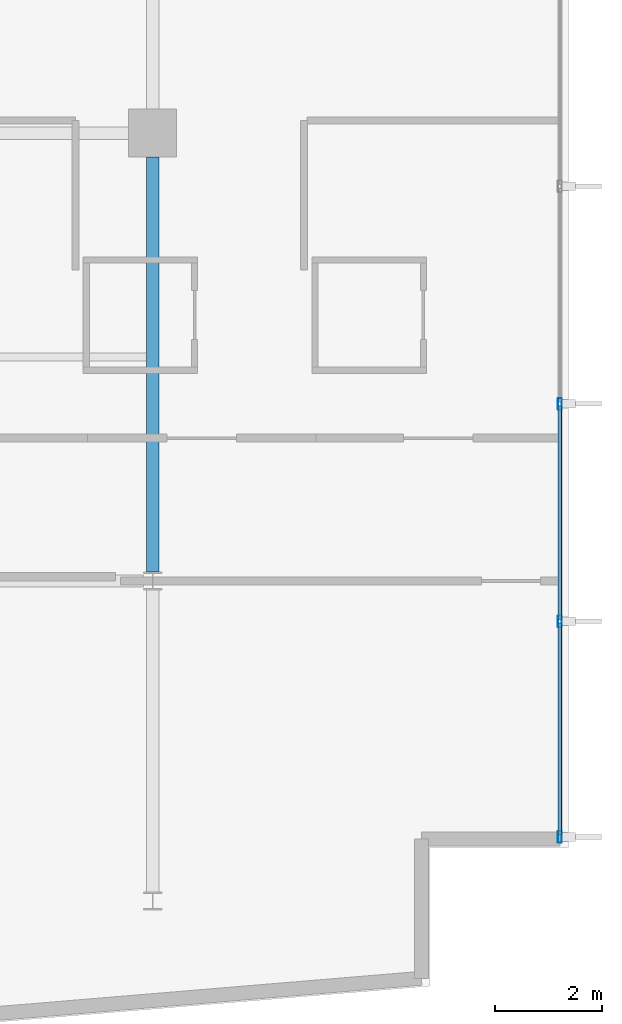
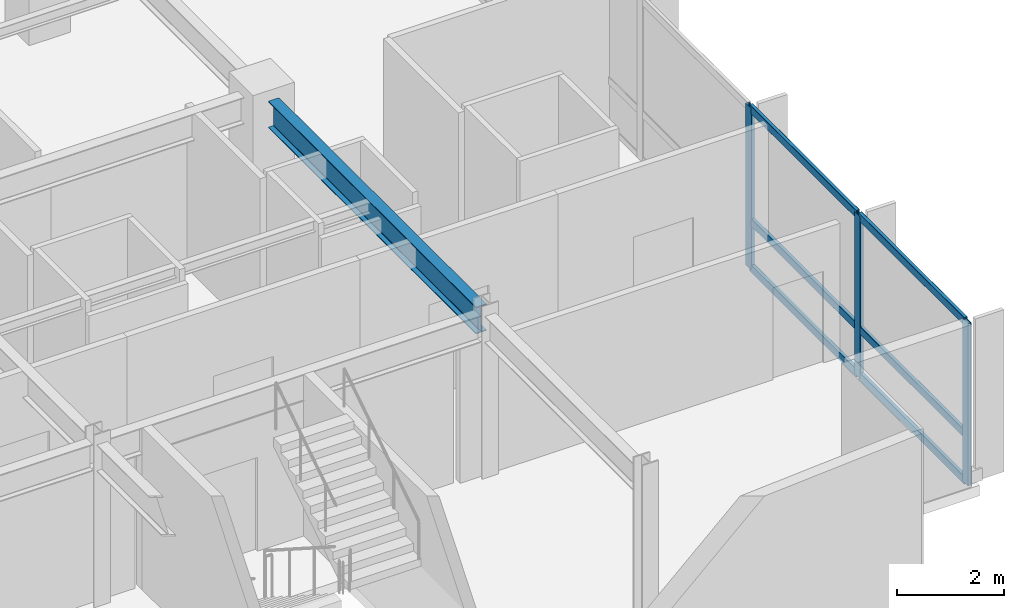
# One storey, part 5 of 21: 9 members, 1 beam, 1 element without a shape of its own.
"""IFC4 building model written with IfcOpenShell, lengths in metres."""

from ifc_helpers import new_model, si_unit, direction, frame, origin, origin_2d, place, context, subcontext, project, spatial, hollow_rectangle, i_section, extrude, material, layer, layer_set, material_profile, profile_set, type_object, element, aggregate, save


model = new_model("IFC4")

# Units and contexts
model_context = context("Model", 3, precision=1e-05, world=origin(), true_north=direction((0.0, 1.0)))
body_context = subcontext(model_context, "Body", "Model", "MODEL_VIEW")
ifc_project = project(units=[si_unit("LENGTHUNIT", "METRE"), si_unit("AREAUNIT", "SQUARE_METRE"), si_unit("VOLUMEUNIT", "CUBIC_METRE"), si_unit("PLANEANGLEUNIT", "RADIAN"), si_unit("MASSUNIT", "GRAM", prefix="KILO")], contexts=[model_context])

# Site, building, storey
site_placement = place(None, origin())
site = spatial("IfcSite", under=ifc_project, at=site_placement, CompositionType="ELEMENT")
building_placement = place(site_placement, origin())
building = spatial("IfcBuilding", under=site, at=building_placement, Name="Varnakote Quay Hospital", CompositionType="ELEMENT")
storey_placement = place(building_placement, frame((0.0, 0.0, 38.300048828125)))
storey = spatial("IfcBuildingStorey", under=building, at=storey_placement, Name="L09", CompositionType="ELEMENT", Elevation=38.300048828125)

# Beam
ifc_material_1 = material(Name="Structural steel AS/NZS 3679.1 Grade 350 L0 (fy 340 MPa)", Category="steel")
ifc_material_profile_1 = material_profile(ifc_material_1, i_section(OverallWidth=0.22900390625, OverallDepth=0.612060546875, WebThickness=0.011962890625, FlangeThickness=0.01953125, FilletRadius=0.013916015625, at=origin_2d()), Name="610UB125")
ifc_profile_set_1 = profile_set([ifc_material_profile_1], Name="Structural steel AS/NZS 3679.1 Grade 350 L0 (fy 340 MPa)")
beam_type = type_object("IfcBeamType", Name="BM-STL-610UB125", PredefinedType="BEAM", material=ifc_profile_set_1)
beam_placement = place(storey_placement, frame((50.39990234375, 12.169921875, 3.404052734375), z_axis=(0.0, 1.0, 0.0), x_axis=(-1.0, 0.0, 0.0)))
element("IfcBeam", 1, at=beam_placement, inside=storey, type_object=beam_type, Name="L09 Primary Tie Beam", PredefinedType="BEAM", context=body_context, shape_type="SweptSolid", body=[
    extrude(i_section(OverallWidth=0.22900390625, OverallDepth=0.612060546875, WebThickness=0.011962890625, FlangeThickness=0.01953125, FilletRadius=0.013916015625, at=origin_2d()), origin(), (0.0, 0.0, 1.0), 7.780029296875),
])

# Curtain wall, members
ifc_material_2 = material(Name="Anodised aluminium 6063-T6 Bronze", Category="aluminium")
ifc_layer = layer(ifc_material_2, 0.18994140625)
ifc_layer_set = layer_set([ifc_layer], Name="Anodised aluminium 6063-T6 Bronze")
curtain_wall_type = type_object("IfcCurtainWallType", Name="CW-SYS-2", PredefinedType="NOTDEFINED", material=ifc_layer_set)
curtain_wall_placement = place(storey_placement, origin())
curtain_wall = element("IfcCurtainWall", 2, at=curtain_wall_placement, inside=storey, type_object=curtain_wall_type, Name="L09 Unitised Bronze Curtain Wall 1", PredefinedType="NOTDEFINED")
ifc_material_3 = material(Name="Anodised aluminium 6063-T6 Bronze", Category="aluminium")
ifc_material_profile_2 = material_profile(ifc_material_3, hollow_rectangle(XDim=0.074951171875, YDim=0.219970703125, WallThickness=0.00439453125, InnerFilletRadius=0.00439453125, OuterFilletRadius=0.009033203125, at=origin_2d()), Name="CW-MULL-220x75")
ifc_profile_set_2 = profile_set([ifc_material_profile_2], Name="Anodised aluminium 6063-T6 Bronze")
member_type_1 = type_object("IfcMemberType", Name="CW-MULL-220x75", PredefinedType="MULLION", material=ifc_profile_set_2)
member_1_placement = place(storey_placement, frame((58.0400390625, 7.197509765625, 0.0), z_axis=(0.0, 0.0, 1.0), x_axis=(-1.0, 0.0, 0.0)))
member_1 = element("IfcMember", 3, at=member_1_placement, type_object=member_type_1, Name="-2-L09-1 mullion 1", PredefinedType="MULLION", context=body_context, shape_type="SweptSolid", body=[
    extrude(hollow_rectangle(XDim=0.074951171875, YDim=0.219970703125, WallThickness=0.00439453125, InnerFilletRadius=0.00439453125, OuterFilletRadius=0.009033203125, at=origin_2d()), origin(), (0.0, 0.0, 1.0), 3.7099609375),
])
member_2_placement = place(storey_placement, frame((58.0400390625, 11.239990234375, 0.0), z_axis=(0.0, 0.0, 1.0), x_axis=(-1.0, 0.0, 0.0)))
member_2 = element("IfcMember", 4, at=member_2_placement, type_object=member_type_1, Name="-2-L09-1 mullion 2", PredefinedType="MULLION", context=body_context, shape_type="SweptSolid", body=[
    extrude(hollow_rectangle(XDim=0.074951171875, YDim=0.219970703125, WallThickness=0.00439453125, InnerFilletRadius=0.00439453125, OuterFilletRadius=0.009033203125, at=origin_2d()), origin(), (0.0, 0.0, 1.0), 3.7099609375),
])
member_3_placement = place(storey_placement, frame((58.0400390625, 15.320068359375, 0.0), z_axis=(0.0, 0.0, 1.0), x_axis=(-1.0, 0.0, 0.0)))
member_3 = element("IfcMember", 5, at=member_3_placement, type_object=member_type_1, Name="-2-L09-1 mullion 3", PredefinedType="MULLION", context=body_context, shape_type="SweptSolid", body=[
    extrude(hollow_rectangle(XDim=0.074951171875, YDim=0.219970703125, WallThickness=0.00439453125, InnerFilletRadius=0.00439453125, OuterFilletRadius=0.009033203125, at=origin_2d()), origin(), (0.0, 0.0, 1.0), 3.7099609375),
])
ifc_material_4 = material(Name="Anodised aluminium 6063-T6 Bronze", Category="aluminium")
ifc_material_profile_3 = material_profile(ifc_material_4, hollow_rectangle(XDim=0.074951171875, YDim=0.179931640625, WallThickness=0.004150390625, InnerFilletRadius=0.004150390625, OuterFilletRadius=0.00830078125, at=origin_2d()), Name="CW-TRAN-180x75")
ifc_profile_set_3 = profile_set([ifc_material_profile_3], Name="Anodised aluminium 6063-T6 Bronze")
member_type_2 = type_object("IfcMemberType", Name="CW-TRAN-180x75", PredefinedType="USERDEFINED", material=ifc_profile_set_3)
member_4_placement = place(storey_placement, frame((58.0400390625, 7.235107421875, 0.037353515625), z_axis=(0.0, 1.0, 0.0), x_axis=(-1.0, 0.0, 0.0)))
member_4 = element("IfcMember", 6, at=member_4_placement, type_object=member_type_2, Name="-2-L09-1 transom 1.1", ObjectType="TRANSOM", PredefinedType="USERDEFINED", context=body_context, shape_type="SweptSolid", body=[
    extrude(hollow_rectangle(XDim=0.074951171875, YDim=0.179931640625, WallThickness=0.004150390625, InnerFilletRadius=0.004150390625, OuterFilletRadius=0.00830078125, at=origin_2d()), origin(), (0.0, 0.0, 1.0), 3.96728515625),
])
member_5_placement = place(storey_placement, frame((58.0400390625, 7.235107421875, 1.099853515625), z_axis=(0.0, 1.0, 0.0), x_axis=(-1.0, 0.0, 0.0)))
member_5 = element("IfcMember", 7, at=member_5_placement, type_object=member_type_2, Name="-2-L09-1 transom 1.2", ObjectType="TRANSOM", PredefinedType="USERDEFINED", context=body_context, shape_type="SweptSolid", body=[
    extrude(hollow_rectangle(XDim=0.074951171875, YDim=0.179931640625, WallThickness=0.004150390625, InnerFilletRadius=0.004150390625, OuterFilletRadius=0.00830078125, at=origin_2d()), origin(), (0.0, 0.0, 1.0), 3.96728515625),
])
member_6_placement = place(storey_placement, frame((58.0400390625, 7.235107421875, 3.67236328125), z_axis=(0.0, 1.0, 0.0), x_axis=(-1.0, 0.0, 0.0)))
member_6 = element("IfcMember", 8, at=member_6_placement, type_object=member_type_2, Name="-2-L09-1 transom 1.3", ObjectType="TRANSOM", PredefinedType="USERDEFINED", context=body_context, shape_type="SweptSolid", body=[
    extrude(hollow_rectangle(XDim=0.074951171875, YDim=0.179931640625, WallThickness=0.004150390625, InnerFilletRadius=0.004150390625, OuterFilletRadius=0.00830078125, at=origin_2d()), origin(), (0.0, 0.0, 1.0), 3.96728515625),
])
member_7_placement = place(storey_placement, frame((58.0400390625, 11.277587890625, 0.037353515625), z_axis=(0.0, 1.0, 0.0), x_axis=(-1.0, 0.0, 0.0)))
member_7 = element("IfcMember", 9, at=member_7_placement, type_object=member_type_2, Name="-2-L09-1 transom 2.1", ObjectType="TRANSOM", PredefinedType="USERDEFINED", context=body_context, shape_type="SweptSolid", body=[
    extrude(hollow_rectangle(XDim=0.074951171875, YDim=0.179931640625, WallThickness=0.004150390625, InnerFilletRadius=0.004150390625, OuterFilletRadius=0.00830078125, at=origin_2d()), origin(), (0.0, 0.0, 1.0), 4.0048828125),
])
member_8_placement = place(storey_placement, frame((58.0400390625, 11.277587890625, 1.099853515625), z_axis=(0.0, 1.0, 0.0), x_axis=(-1.0, 0.0, 0.0)))
member_8 = element("IfcMember", 10, at=member_8_placement, type_object=member_type_2, Name="-2-L09-1 transom 2.2", ObjectType="TRANSOM", PredefinedType="USERDEFINED", context=body_context, shape_type="SweptSolid", body=[
    extrude(hollow_rectangle(XDim=0.074951171875, YDim=0.179931640625, WallThickness=0.004150390625, InnerFilletRadius=0.004150390625, OuterFilletRadius=0.00830078125, at=origin_2d()), origin(), (0.0, 0.0, 1.0), 4.0048828125),
])
member_9_placement = place(storey_placement, frame((58.0400390625, 11.277587890625, 3.67236328125), z_axis=(0.0, 1.0, 0.0), x_axis=(-1.0, 0.0, 0.0)))
member_9 = element("IfcMember", 11, at=member_9_placement, type_object=member_type_2, Name="-2-L09-1 transom 2.3", ObjectType="TRANSOM", PredefinedType="USERDEFINED", context=body_context, shape_type="SweptSolid", body=[
    extrude(hollow_rectangle(XDim=0.074951171875, YDim=0.179931640625, WallThickness=0.004150390625, InnerFilletRadius=0.004150390625, OuterFilletRadius=0.00830078125, at=origin_2d()), origin(), (0.0, 0.0, 1.0), 4.0048828125),
])
aggregate(curtain_wall, [member_1, member_2, member_3, member_4, member_5, member_6, member_7, member_8, member_9])

save(model, "model.ifc")
